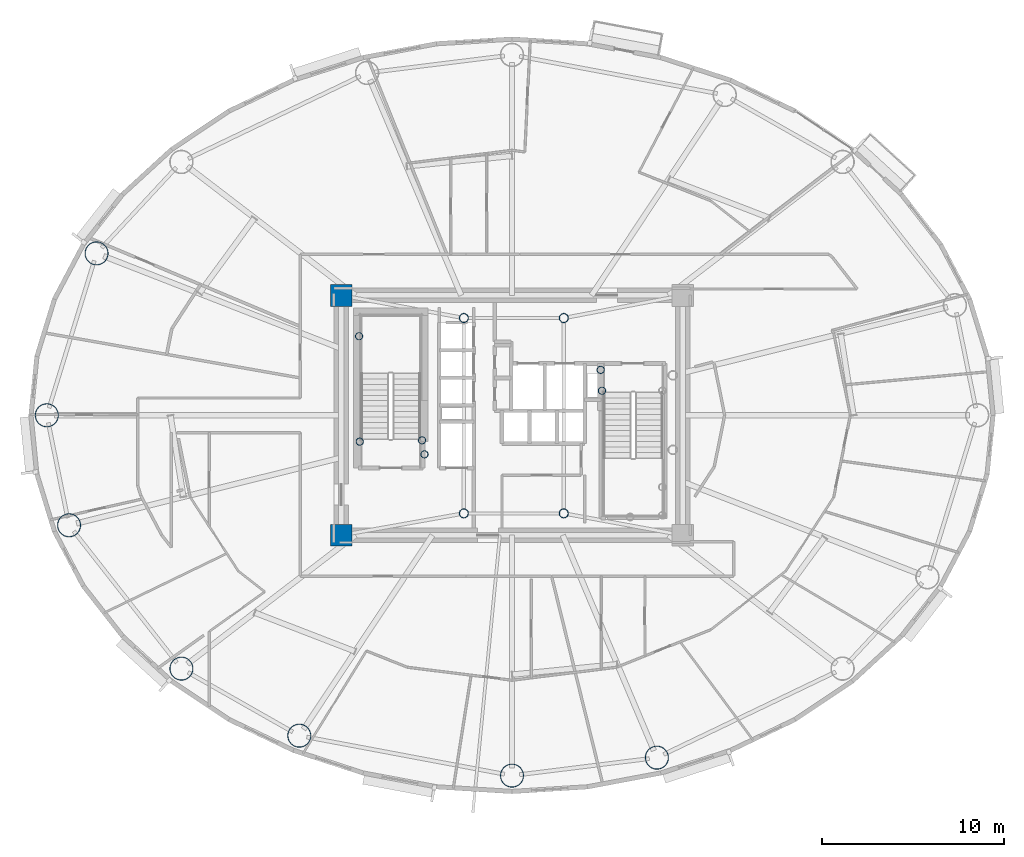
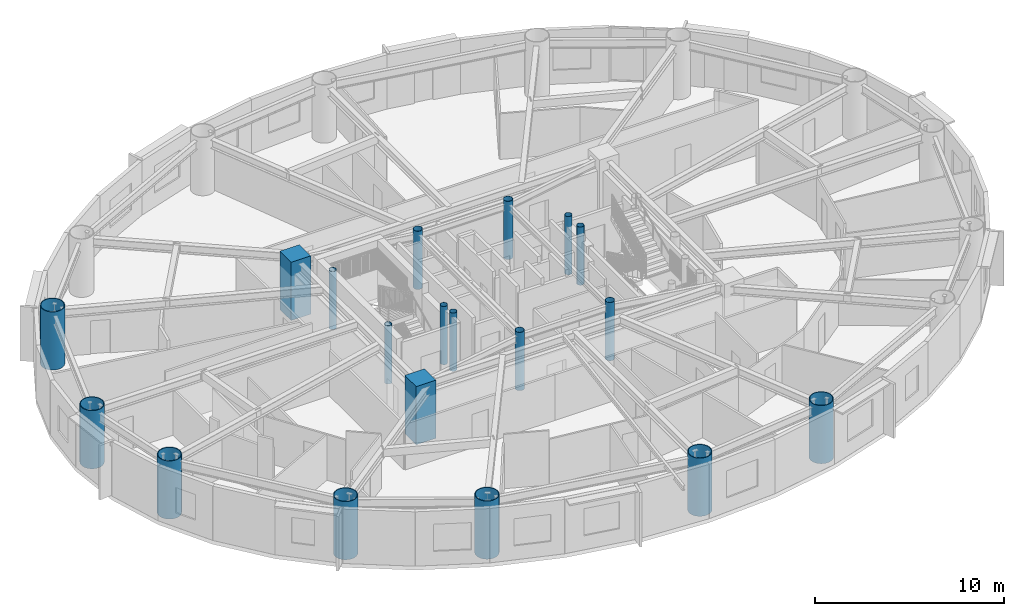
# One storey, part 1 of 21: 19 columns.
"""IFC4 building model written with IfcOpenShell, lengths in metres."""

from ifc_helpers import new_model, si_unit, direction, frame, origin, origin_2d, place, context, subcontext, project, spatial, rectangle, hollow_circle, extrude, material, material_profile, profile_set, type_object, element, save


model = new_model("IFC4")

# Units and contexts
model_context = context("Model", 3, precision=1e-05, world=origin(), true_north=direction((0.0, 1.0)))
body_context = subcontext(model_context, "Body", "Model", "MODEL_VIEW")
ifc_project = project(units=[si_unit("LENGTHUNIT", "METRE"), si_unit("AREAUNIT", "SQUARE_METRE"), si_unit("VOLUMEUNIT", "CUBIC_METRE"), si_unit("PLANEANGLEUNIT", "RADIAN"), si_unit("MASSUNIT", "GRAM", prefix="KILO")], contexts=[model_context])

# Site, building, storey
site_placement = place(None, origin())
site = spatial("IfcSite", under=ifc_project, at=site_placement, CompositionType="ELEMENT")
building_placement = place(site_placement, origin())
building = spatial("IfcBuilding", under=site, at=building_placement, Name="Linh Dai School and Residence Tower", CompositionType="ELEMENT")
storey_placement = place(building_placement, frame((0.0, 0.0, 189.89990234375)))
storey = spatial("IfcBuildingStorey", under=building, at=storey_placement, Name="L46", CompositionType="ELEMENT", Elevation=189.89990234375)

# Columns
ifc_material_1 = material(Name="Concrete B60 (C50/60)", Category="concrete")
ifc_material_profile_1 = material_profile(ifc_material_1, rectangle(XDim=1.199951171875, YDim=1.199951171875, at=origin_2d()), Name="RC 1200x1200")
ifc_profile_set_1 = profile_set([ifc_material_profile_1], Name="Concrete B60 (C50/60)")
column_type_1 = type_object("IfcColumnType", Name="COL-CC2", PredefinedType="COLUMN", material=ifc_profile_set_1)
for number, where, z_axis, x_axis, name in (
    (1, (26.60009765625, 20.39990234375, 0.0), (0.0, 0.0, 1.0), (1.0, 0.0, 0.0), "L46 Core Corner Pier CC1"),
    (2, (26.60009765625, 33.60009765625, 0.0), (0.0, 0.0, 1.0), (1.0, 0.0, 0.0), "L46 Core Corner Pier CC4"),
):
    element("IfcColumn", number, at=place(storey_placement, frame(where, z_axis=z_axis, x_axis=x_axis)), inside=storey, type_object=column_type_1, Name=name, PredefinedType="COLUMN", context=body_context, shape_type="SweptSolid", body=[
        extrude(rectangle(XDim=1.199951171875, YDim=1.199951171875, at=origin_2d()), origin(), (0.0, 0.0, 1.0), 3.75),
    ])
ifc_material_2 = material(Name="Structural Steel S355JR", Category="steel")
ifc_material_profile_2 = material_profile(ifc_material_2, hollow_circle(Radius=0.203125, WallThickness=0.01611328125, at=origin_2d()), Name="CHS 406.4x16")
ifc_profile_set_2 = profile_set([ifc_material_profile_2], Name="Structural Steel S355JR")
column_type_2 = type_object("IfcColumnType", Name="COL-EC", PredefinedType="COLUMN", material=ifc_profile_set_2)
for number, where, z_axis, x_axis, name in (
    (3, (27.580078125, 31.35009765625, 0.0), (0.0, 0.0, 1.0), (1.0, 0.0, 0.0), "L46 Stair Shaft Landing Support Pier ST1NW"),
    (4, (31.050048828125, 25.6201171875, 0.0), (0.0, 0.0, 1.0), (1.0, 0.0, 0.0), "L46 Stair Shaft Landing Support Pier ST1SE"),
    (5, (31.179931640625, 24.85009765625, 0.0), (0.0, 0.0, 1.0), (1.0, 0.0, 0.0), "L46 Stair Shaft Landing Support Pier ST1SM"),
    (6, (27.6201171875, 25.550048828125, 0.0), (0.0, 0.0, 1.0), (1.0, 0.0, 0.0), "L46 Stair Shaft Landing Support Pier ST1SW"),
    (7, (40.949951171875, 28.35009765625, 0.0), (0.0, 0.0, 1.0), (1.0, 0.0, 0.0), "L46 Stair Shaft Landing Support Pier ST2N1"),
    (8, (40.8798828125, 29.5, 0.0), (0.0, 0.0, 1.0), (1.0, 0.0, 0.0), "L46 Stair Shaft Landing Support Pier ST2N3"),
):
    element("IfcColumn", number, at=place(storey_placement, frame(where, z_axis=z_axis, x_axis=x_axis)), inside=storey, type_object=column_type_2, Name=name, PredefinedType="COLUMN", context=body_context, shape_type="SweptSolid", body=[
        extrude(hollow_circle(Radius=0.203125, WallThickness=0.01611328125, at=origin_2d()), origin(), (0.0, 0.0, 1.0), 3.75),
    ])
ifc_material_profile_3 = material_profile(ifc_material_2, hollow_circle(Radius=0.64990234375, WallThickness=0.0400390625, at=origin_2d()), Name="CHS 1300x40")
ifc_profile_set_3 = profile_set([ifc_material_profile_3], Name="Structural Steel S355JR")
column_type_3 = type_object("IfcColumnType", Name="COL-MC4", PredefinedType="COLUMN", material=ifc_profile_set_3)
for number, where, z_axis, x_axis, name in (
    (9, (13.137451171875, 35.9111328125, 0.0), (0.0, 0.0, 1.0), (1.0, 0.0, 0.0), "L46 Perimeter CFT Mega-Column MC08"),
    (10, (10.39990234375, 27.0, 0.0), (0.0, 0.0, 1.0), (1.0, 0.0, 0.0), "L46 Perimeter CFT Mega-Column MC09"),
    (11, (11.62548828125, 20.946533203125, 0.0), (0.0, 0.0, 1.0), (1.0, 0.0, 0.0), "L46 Perimeter CFT Mega-Column MC10"),
    (12, (17.8076171875, 13.058349609375, 0.0), (0.0, 0.0, 1.0), (1.0, 0.0, 0.0), "L46 Perimeter CFT Mega-Column MC11"),
    (13, (24.29443359375, 9.369140625, 0.0), (0.0, 0.0, 1.0), (1.0, 0.0, 0.0), "L46 Perimeter CFT Mega-Column MC12"),
    (14, (36.0, 7.169921875, 0.0), (0.0, 0.0, 1.0), (1.0, 0.0, 0.0), "L46 Perimeter CFT Mega-Column MC13"),
    (15, (43.973388671875, 8.15869140625, 0.0), (0.0, 0.0, 1.0), (1.0, 0.0, 0.0), "L46 Perimeter CFT Mega-Column MC14"),
):
    element("IfcColumn", number, at=place(storey_placement, frame(where, z_axis=z_axis, x_axis=x_axis)), inside=storey, type_object=column_type_3, Name=name, PredefinedType="COLUMN", context=body_context, shape_type="SweptSolid", body=[
        extrude(hollow_circle(Radius=0.64990234375, WallThickness=0.0400390625, at=origin_2d()), origin(), (0.0, 0.0, 1.0), 3.75),
    ])
ifc_material_profile_4 = material_profile(ifc_material_2, hollow_circle(Radius=0.25390625, WallThickness=0.02001953125, at=origin_2d()), Name="CHS 508x20")
ifc_profile_set_4 = profile_set([ifc_material_profile_4], Name="Structural Steel S355JR")
column_type_4 = type_object("IfcColumnType", Name="COL-MCP", PredefinedType="COLUMN", material=ifc_profile_set_4)
for number, where, z_axis, x_axis, name in (
    (16, (33.35009765625, 21.60009765625, 0.0), (0.0, 0.0, 1.0), (1.0, 0.0, 0.0), "L46 Core Mast Support Pier MCP1"),
    (17, (38.85009765625, 21.60009765625, 0.0), (0.0, 0.0, 1.0), (1.0, 0.0, 0.0), "L46 Core Mast Support Pier MCP2"),
    (18, (38.85009765625, 32.35009765625, 0.0), (0.0, 0.0, 1.0), (1.0, 0.0, 0.0), "L46 Core Mast Support Pier MCP3"),
    (19, (33.35009765625, 32.35009765625, 0.0), (0.0, 0.0, 1.0), (1.0, 0.0, 0.0), "L46 Core Mast Support Pier MCP4"),
):
    element("IfcColumn", number, at=place(storey_placement, frame(where, z_axis=z_axis, x_axis=x_axis)), inside=storey, type_object=column_type_4, Name=name, PredefinedType="COLUMN", context=body_context, shape_type="SweptSolid", body=[
        extrude(hollow_circle(Radius=0.25390625, WallThickness=0.02001953125, at=origin_2d()), origin(), (0.0, 0.0, 1.0), 3.75),
    ])

save(model, "model.ifc")
